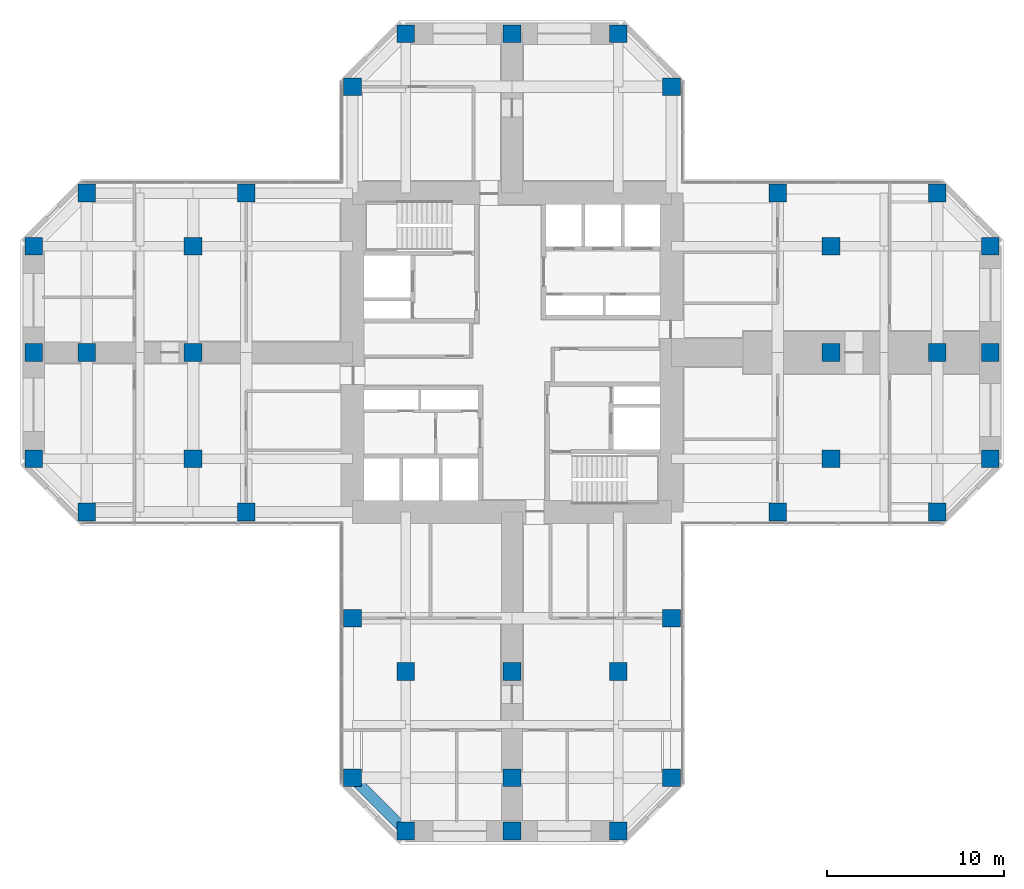
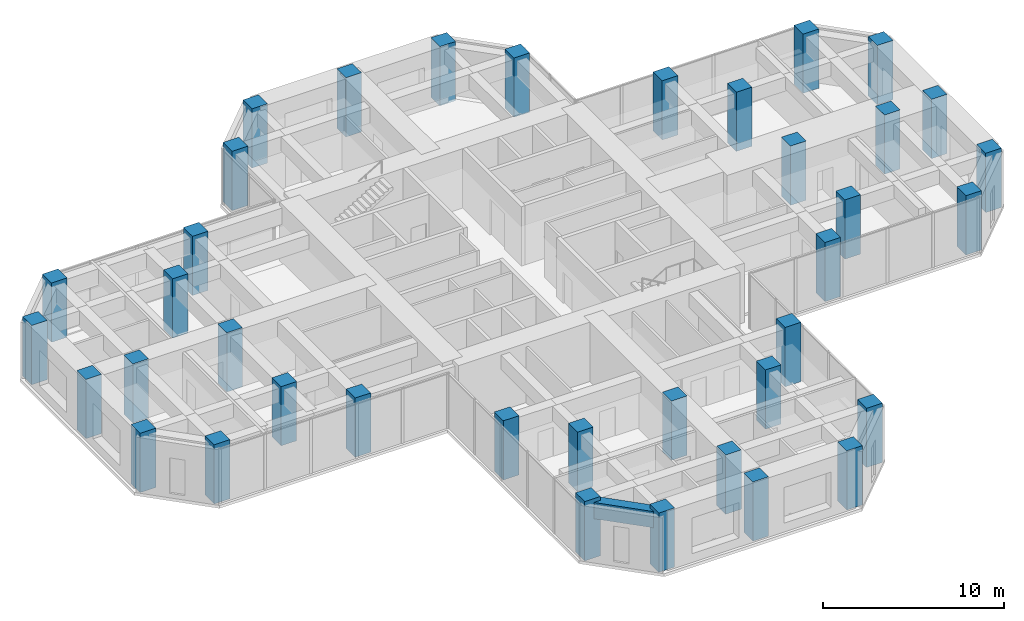
# One storey, part 1 of 13: 38 columns, 1 beam.
"""IFC4 building model written with IfcOpenShell, lengths in metres."""

from ifc_helpers import new_model, si_unit, direction, frame, origin, origin_2d, place, context, subcontext, project, spatial, rectangle, extrude, material, material_profile, profile_set, type_object, element, save


model = new_model("IFC4")

# Units and contexts
model_context = context("Model", 3, precision=1e-05, world=origin(), true_north=direction((0.0, 1.0)))
body_context = subcontext(model_context, "Body", "Model", "MODEL_VIEW")
ifc_project = project(units=[si_unit("LENGTHUNIT", "METRE"), si_unit("AREAUNIT", "SQUARE_METRE"), si_unit("VOLUMEUNIT", "CUBIC_METRE"), si_unit("PLANEANGLEUNIT", "RADIAN"), si_unit("MASSUNIT", "GRAM", prefix="KILO")], contexts=[model_context])

# Site, building, storey
site_placement = place(None, origin())
site = spatial("IfcSite", under=ifc_project, at=site_placement, CompositionType="ELEMENT")
building_placement = place(site_placement, origin())
building = spatial("IfcBuilding", under=site, at=building_placement, Name="Torre Cruceta", CompositionType="ELEMENT")
storey_placement = place(building_placement, frame((0.0, 0.0, 160.5)))
storey = spatial("IfcBuildingStorey", under=building, at=storey_placement, Name="L39", CompositionType="ELEMENT", Elevation=160.5)

# Columns
ifc_material_1 = material(Name="Concrete G60 (fck 60 MPa)", Category="concrete")
ifc_material_profile_1 = material_profile(ifc_material_1, rectangle(XDim=1.0, YDim=1.0, at=origin_2d()), Name="RC 1000X1000")
ifc_profile_set_1 = profile_set([ifc_material_profile_1], Name="Concrete G60 (fck 60 MPa)")
column_type = type_object("IfcColumnType", Name="COLUMN RC 1000X1000", PredefinedType="COLUMN", material=ifc_profile_set_1)
for number, where, z_axis, x_axis, name in (
    (1, (9.0, 15.0, 0.0), (0.0, 0.0, 1.0), (1.0, 0.0, 0.0), "C5 L39 N chamfer"),
    (2, (-9.0, 15.0, 0.0), (0.0, 0.0, 1.0), (1.0, 0.0, 0.0), "C5 L39 N chamfer"),
    (3, (6.0, 18.0, 0.0), (0.0, 0.0, 1.0), (1.0, 0.0, 0.0), "C5 L39 N tip"),
    (4, (0.0, 18.0, 0.0), (0.0, 0.0, 1.0), (1.0, 0.0, 0.0), "C5 L39 N tip"),
    (5, (-6.0, 18.0, 0.0), (0.0, 0.0, 1.0), (1.0, 0.0, 0.0), "C5 L39 N tip"),
    (6, (15.0, -9.0, 0.0), (0.0, 0.0, 1.0), (1.0, 0.0, 0.0), "C5 L39 E side"),
    (7, (24.0, -9.0, 0.0), (0.0, 0.0, 1.0), (1.0, 0.0, 0.0), "C5 L39 E chamfer"),
    (8, (15.0, 9.0, 0.0), (0.0, 0.0, 1.0), (1.0, 0.0, 0.0), "C5 L39 E side"),
    (9, (24.0, 9.0, 0.0), (0.0, 0.0, 1.0), (1.0, 0.0, 0.0), "C5 L39 E chamfer"),
    (10, (27.0, -6.0, 0.0), (0.0, 0.0, 1.0), (1.0, 0.0, 0.0), "C5 L39 E tip"),
    (11, (27.0, 0.0, 0.0), (0.0, 0.0, 1.0), (1.0, 0.0, 0.0), "C5 L39 E tip"),
    (12, (27.0, 6.0, 0.0), (0.0, 0.0, 1.0), (1.0, 0.0, 0.0), "C5 L39 E tip"),
    (13, (-9.0, -15.0, 0.0), (0.0, 0.0, 1.0), (1.0, 0.0, 0.0), "C5 L39 S side"),
    (14, (-9.0, -24.0, 0.0), (0.0, 0.0, 1.0), (1.0, 0.0, 0.0), "C5 L39 S chamfer"),
    (15, (9.0, -15.0, 0.0), (0.0, 0.0, 1.0), (1.0, 0.0, 0.0), "C5 L39 S side"),
    (16, (9.0, -24.0, 0.0), (0.0, 0.0, 1.0), (1.0, 0.0, 0.0), "C5 L39 S chamfer"),
    (17, (-6.0, -27.0, 0.0), (0.0, 0.0, 1.0), (1.0, 0.0, 0.0), "C5 L39 S tip"),
    (18, (0.0, -27.0, 0.0), (0.0, 0.0, 1.0), (1.0, 0.0, 0.0), "C5 L39 S tip"),
    (19, (6.0, -27.0, 0.0), (0.0, 0.0, 1.0), (1.0, 0.0, 0.0), "C5 L39 S tip"),
    (20, (-15.0, 9.0, 0.0), (0.0, 0.0, 1.0), (1.0, 0.0, 0.0), "C5 L39 W side"),
    (21, (-24.0, 9.0, 0.0), (0.0, 0.0, 1.0), (1.0, 0.0, 0.0), "C5 L39 W chamfer"),
    (22, (-15.0, -9.0, 0.0), (0.0, 0.0, 1.0), (1.0, 0.0, 0.0), "C5 L39 W side"),
    (23, (-24.0, -9.0, 0.0), (0.0, 0.0, 1.0), (1.0, 0.0, 0.0), "C5 L39 W chamfer"),
    (24, (-27.0, 6.0, 0.0), (0.0, 0.0, 1.0), (1.0, 0.0, 0.0), "C5 L39 W tip"),
    (25, (-27.0, 0.0, 0.0), (0.0, 0.0, 1.0), (1.0, 0.0, 0.0), "C5 L39 W tip"),
    (26, (-27.0, -6.0, 0.0), (0.0, 0.0, 1.0), (1.0, 0.0, 0.0), "C5 L39 W tip"),
    (27, (18.0, -6.0, 0.0), (0.0, 0.0, 1.0), (1.0, 0.0, 0.0), "C5 L39 E interior"),
    (28, (18.0, 0.0, 0.0), (0.0, 0.0, 1.0), (1.0, 0.0, 0.0), "C5 L39 E interior"),
    (29, (18.0, 6.0, 0.0), (0.0, 0.0, 1.0), (1.0, 0.0, 0.0), "C5 L39 E interior"),
    (30, (24.0, 0.0, 0.0), (0.0, 0.0, 1.0), (1.0, 0.0, 0.0), "C5 L39 E interior"),
    (31, (-6.0, -18.0, 0.0), (0.0, 0.0, 1.0), (1.0, 0.0, 0.0), "C5 L39 S interior"),
    (32, (0.0, -18.0, 0.0), (0.0, 0.0, 1.0), (1.0, 0.0, 0.0), "C5 L39 S interior"),
    (33, (6.0, -18.0, 0.0), (0.0, 0.0, 1.0), (1.0, 0.0, 0.0), "C5 L39 S interior"),
    (34, (0.0, -24.0, 0.0), (0.0, 0.0, 1.0), (1.0, 0.0, 0.0), "C5 L39 S interior"),
    (35, (-18.0, 6.0, 0.0), (0.0, 0.0, 1.0), (1.0, 0.0, 0.0), "C5 L39 W interior"),
    (36, (-18.0, 0.0, 0.0), (0.0, 0.0, 1.0), (1.0, 0.0, 0.0), "C5 L39 W interior"),
    (37, (-18.0, -6.0, 0.0), (0.0, 0.0, 1.0), (1.0, 0.0, 0.0), "C5 L39 W interior"),
    (38, (-24.0, 0.0, 0.0), (0.0, 0.0, 1.0), (1.0, 0.0, 0.0), "C5 L39 W interior"),
):
    element("IfcColumn", number, at=place(storey_placement, frame(where, z_axis=z_axis, x_axis=x_axis)), inside=storey, type_object=column_type, Name=name, PredefinedType="COLUMN", context=body_context, shape_type="SweptSolid", body=[
        extrude(rectangle(XDim=1.0, YDim=1.0, at=origin_2d()), origin(), (0.0, 0.0, 1.0), 4.0),
    ])

# Beam
ifc_material_2 = material(Name="Concrete G60 (fck 60 MPa)", Category="concrete")
ifc_material_profile_2 = material_profile(ifc_material_2, rectangle(XDim=0.60009765625, YDim=1.10009765625, at=origin_2d()), Name="RC 600X1100")
ifc_profile_set_2 = profile_set([ifc_material_profile_2], Name="Concrete G60 (fck 60 MPa)")
beam_type = type_object("IfcBeamType", Name="SPANDREL BEAM RC 600X1100", PredefinedType="SPANDREL", material=ifc_profile_set_2)
beam_placement = place(storey_placement, frame((-9.0, -24.0, 3.199951171875), z_axis=(0.707106781187, -0.707106781187, 0.0), x_axis=(0.707106781187, 0.707106781187, 0.0)))
element("IfcBeam", 39, at=beam_placement, inside=storey, type_object=beam_type, Name="SB2 L39 S side- 5", PredefinedType="SPANDREL", context=body_context, shape_type="SweptSolid", body=[
    extrude(rectangle(XDim=0.60009765625, YDim=1.10009765625, at=origin_2d()), origin(), (0.0, 0.0, 1.0), 4.24267578125),
])

save(model, "model.ifc")
